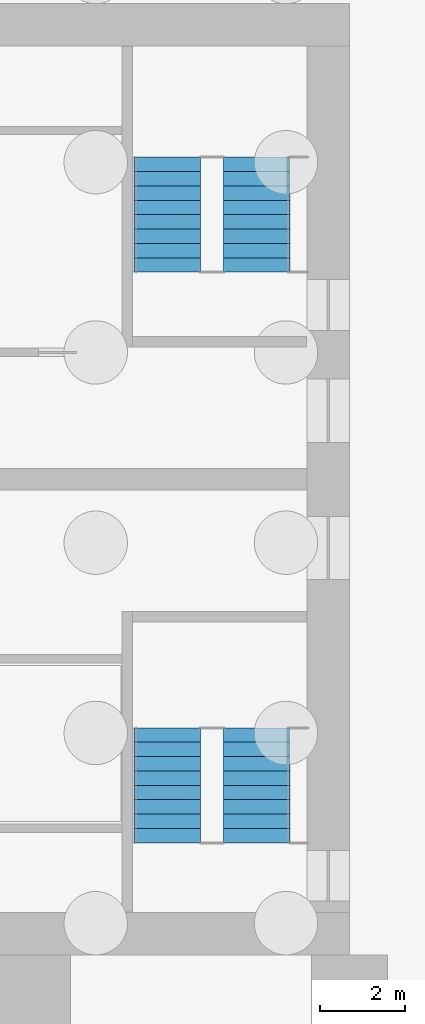
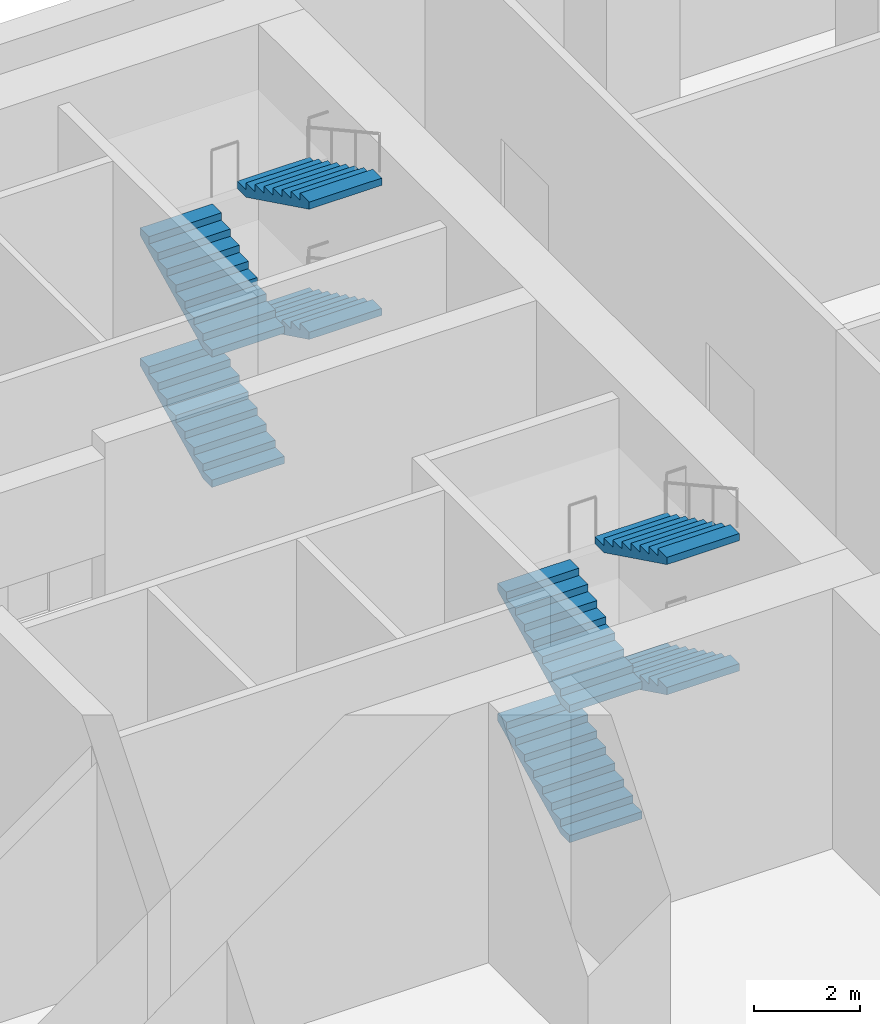
# One storey, part 7 of 9: 8 stair flights, 2 elements without a shape of their own.
"""IFC4 building model written with IfcOpenShell, lengths in metres."""

from ifc_helpers import new_model, si_unit, direction, frame, origin, place, context, subcontext, project, spatial, polyline, outline, extrude, material, type_object, element, aggregate, save


model = new_model("IFC4")

# Units and contexts
model_context = context("Model", 3, precision=1e-05, world=origin(), true_north=direction((0.0, 1.0)))
body_context = subcontext(model_context, "Body", "Model", "MODEL_VIEW")
ifc_project = project(units=[si_unit("LENGTHUNIT", "METRE"), si_unit("AREAUNIT", "SQUARE_METRE"), si_unit("VOLUMEUNIT", "CUBIC_METRE"), si_unit("PLANEANGLEUNIT", "RADIAN"), si_unit("MASSUNIT", "GRAM", prefix="KILO")], contexts=[model_context])

# Site, building, storey
site_placement = place(None, origin())
site = spatial("IfcSite", under=ifc_project, at=site_placement, CompositionType="ELEMENT")
building_placement = place(site_placement, origin())
building = spatial("IfcBuilding", under=site, at=building_placement, Name="Pilkhan Gate Tower", CompositionType="ELEMENT")
storey_placement = place(building_placement, frame((0.0, 0.0, -6.0)))
storey = spatial("IfcBuildingStorey", under=building, at=storey_placement, Name="B1", CompositionType="ELEMENT", Elevation=-6.0)

# Stair, stair flights
ifc_material = material(Name="Concrete C40/50 precast", Category="concrete")
stair_type_1 = type_object("IfcStairType", Name="Stair ST1 167x340", PredefinedType="HALF_TURN_STAIR", material=ifc_material)
stair_1_placement = place(storey_placement, origin())
stair_1 = element("IfcStair", 1, at=stair_1_placement, inside=storey, type_object=stair_type_1, Name="Stair ST1 B1", PredefinedType="HALF_TURN_STAIR")
stair_flight_type_1 = type_object("IfcStairFlightType", Name="Stair flight ST1 167x340x9", PredefinedType="STRAIGHT", material=ifc_material)
stair_flight_1_placement = place(storey_placement, frame((85.68994140625, 73.89990234375, 0.0), z_axis=(0.0, 0.0, 1.0), x_axis=(0.0, 1.0, 0.0)))
stair_flight_1 = element("IfcStairFlight", 2, at=stair_flight_1_placement, type_object=stair_flight_type_1, Name="ST1 flight 1", NumberOfRisers=9, NumberOfTreads=8, PredefinedType="STRAIGHT", RiserHeight=0.166666667, TreadLength=0.34, context=body_context, shape_type="SweptSolid", body=[
    extrude(outline(polyline([(0.0, 0.0), (0.0, 0.166748046875), (0.340087890625, 0.166748046875), (0.340087890625, 0.333251953125), (0.679931640625, 0.333251953125), (0.679931640625, 0.5), (1.02001953125, 0.5), (1.02001953125, 0.666748046875), (1.360107421875, 0.666748046875), (1.360107421875, 0.833251953125), (1.699951171875, 0.833251953125), (1.699951171875, 1.0), (2.0400390625, 1.0), (2.0400390625, 1.166748046875), (2.3798828125, 1.166748046875), (2.3798828125, 1.333251953125), (2.719970703125, 1.333251953125), (2.719970703125, 1.5), (2.719970703125, 1.16650390625), (0.340576171875, 0.0), (0.0, 0.0)])), frame((0.0, 0.7900390625, 0.0), z_axis=(0.0, -1.0, 0.0), x_axis=(1.0, 0.0, 0.0)), (0.0, 0.0, 1.0), 1.580078125),
])
stair_flight_2_placement = place(storey_placement, frame((87.81005859375, 76.6201171875, 1.5), z_axis=(0.0, 0.0, 1.0), x_axis=(0.0, -1.0, 0.0)))
stair_flight_2 = element("IfcStairFlight", 3, at=stair_flight_2_placement, type_object=stair_flight_type_1, Name="ST1 flight 2", NumberOfRisers=9, NumberOfTreads=8, PredefinedType="STRAIGHT", RiserHeight=0.166666667, TreadLength=0.34, context=body_context, shape_type="SweptSolid", body=[
    extrude(outline(polyline([(0.0, 0.0), (0.0, 0.166748046875), (0.340087890625, 0.166748046875), (0.340087890625, 0.333251953125), (0.679931640625, 0.333251953125), (0.679931640625, 0.5), (1.02001953125, 0.5), (1.02001953125, 0.666748046875), (1.360107421875, 0.666748046875), (1.360107421875, 0.833251953125), (1.699951171875, 0.833251953125), (1.699951171875, 1.0), (2.0400390625, 1.0), (2.0400390625, 1.166748046875), (2.3798828125, 1.166748046875), (2.3798828125, 1.333251953125), (2.719970703125, 1.333251953125), (2.719970703125, 1.5), (2.719970703125, 1.16650390625), (0.340576171875, 0.0), (0.0, 0.0)])), frame((0.0, 0.7900390625, 0.0), z_axis=(0.0, -1.0, 0.0), x_axis=(1.0, 0.0, 0.0)), (0.0, 0.0, 1.0), 1.580078125),
])
stair_flight_3_placement = place(storey_placement, frame((85.68994140625, 73.89990234375, 3.0), z_axis=(0.0, 0.0, 1.0), x_axis=(0.0, 1.0, 0.0)))
stair_flight_3 = element("IfcStairFlight", 4, at=stair_flight_3_placement, type_object=stair_flight_type_1, Name="ST1 flight 3", NumberOfRisers=9, NumberOfTreads=8, PredefinedType="STRAIGHT", RiserHeight=0.166666667, TreadLength=0.34, context=body_context, shape_type="SweptSolid", body=[
    extrude(outline(polyline([(0.0, 0.0), (0.0, 0.166748046875), (0.340087890625, 0.166748046875), (0.340087890625, 0.333251953125), (0.679931640625, 0.333251953125), (0.679931640625, 0.5), (1.02001953125, 0.5), (1.02001953125, 0.666748046875), (1.360107421875, 0.666748046875), (1.360107421875, 0.833251953125), (1.699951171875, 0.833251953125), (1.699951171875, 1.0), (2.0400390625, 1.0), (2.0400390625, 1.166748046875), (2.3798828125, 1.166748046875), (2.3798828125, 1.333251953125), (2.719970703125, 1.333251953125), (2.719970703125, 1.5), (2.719970703125, 1.16650390625), (0.340576171875, 0.0), (0.0, 0.0)])), frame((0.0, 0.7900390625, 0.0), z_axis=(0.0, -1.0, 0.0), x_axis=(1.0, 0.0, 0.0)), (0.0, 0.0, 1.0), 1.580078125),
])
stair_flight_4_placement = place(storey_placement, frame((87.81005859375, 76.6201171875, 4.5), z_axis=(0.0, 0.0, 1.0), x_axis=(0.0, -1.0, 0.0)))
stair_flight_4 = element("IfcStairFlight", 5, at=stair_flight_4_placement, type_object=stair_flight_type_1, Name="ST1 flight 4", NumberOfRisers=9, NumberOfTreads=8, PredefinedType="STRAIGHT", RiserHeight=0.166666667, TreadLength=0.34, context=body_context, shape_type="SweptSolid", body=[
    extrude(outline(polyline([(0.0, 0.0), (0.0, 0.166748046875), (0.340087890625, 0.166748046875), (0.340087890625, 0.333251953125), (0.679931640625, 0.333251953125), (0.679931640625, 0.5), (1.02001953125, 0.5), (1.02001953125, 0.666748046875), (1.360107421875, 0.666748046875), (1.360107421875, 0.833251953125), (1.699951171875, 0.833251953125), (1.699951171875, 1.0), (2.0400390625, 1.0), (2.0400390625, 1.166748046875), (2.3798828125, 1.166748046875), (2.3798828125, 1.333251953125), (2.719970703125, 1.333251953125), (2.719970703125, 1.5), (2.719970703125, 1.16650390625), (0.340576171875, 0.0), (0.0, 0.0)])), frame((0.0, 0.7900390625, 0.0), z_axis=(0.0, -1.0, 0.0), x_axis=(1.0, 0.0, 0.0)), (0.0, 0.0, 1.0), 1.580078125),
])
aggregate(stair_1, [stair_flight_1, stair_flight_2, stair_flight_3, stair_flight_4])

stair_type_2 = type_object("IfcStairType", Name="Stair ST4 167x340", PredefinedType="HALF_TURN_STAIR", material=ifc_material)
stair_2_placement = place(storey_placement, origin())
stair_2 = element("IfcStair", 6, at=stair_2_placement, inside=storey, type_object=stair_type_2, Name="Stair ST4 B1", PredefinedType="HALF_TURN_STAIR")
stair_flight_type_2 = type_object("IfcStairFlightType", Name="Stair flight ST4 167x340x9", PredefinedType="STRAIGHT", material=ifc_material)
stair_flight_5_placement = place(storey_placement, frame((85.68994140625, 87.39990234375, 0.0), z_axis=(0.0, 0.0, 1.0), x_axis=(0.0, 1.0, 0.0)))
stair_flight_5 = element("IfcStairFlight", 7, at=stair_flight_5_placement, type_object=stair_flight_type_2, Name="ST4 flight 1", NumberOfRisers=9, NumberOfTreads=8, PredefinedType="STRAIGHT", RiserHeight=0.166666667, TreadLength=0.34, context=body_context, shape_type="SweptSolid", body=[
    extrude(outline(polyline([(0.0, 0.0), (0.0, 0.166748046875), (0.340087890625, 0.166748046875), (0.340087890625, 0.333251953125), (0.679931640625, 0.333251953125), (0.679931640625, 0.5), (1.02001953125, 0.5), (1.02001953125, 0.666748046875), (1.360107421875, 0.666748046875), (1.360107421875, 0.833251953125), (1.699951171875, 0.833251953125), (1.699951171875, 1.0), (2.0400390625, 1.0), (2.0400390625, 1.166748046875), (2.3798828125, 1.166748046875), (2.3798828125, 1.333251953125), (2.719970703125, 1.333251953125), (2.719970703125, 1.5), (2.719970703125, 1.16650390625), (0.340576171875, 0.0), (0.0, 0.0)])), frame((0.0, 0.7900390625, 0.0), z_axis=(0.0, -1.0, 0.0), x_axis=(1.0, 0.0, 0.0)), (0.0, 0.0, 1.0), 1.580078125),
])
stair_flight_6_placement = place(storey_placement, frame((87.81005859375, 90.1201171875, 1.5), z_axis=(0.0, 0.0, 1.0), x_axis=(0.0, -1.0, 0.0)))
stair_flight_6 = element("IfcStairFlight", 8, at=stair_flight_6_placement, type_object=stair_flight_type_2, Name="ST4 flight 2", NumberOfRisers=9, NumberOfTreads=8, PredefinedType="STRAIGHT", RiserHeight=0.166666667, TreadLength=0.34, context=body_context, shape_type="SweptSolid", body=[
    extrude(outline(polyline([(0.0, 0.0), (0.0, 0.166748046875), (0.340087890625, 0.166748046875), (0.340087890625, 0.333251953125), (0.679931640625, 0.333251953125), (0.679931640625, 0.5), (1.02001953125, 0.5), (1.02001953125, 0.666748046875), (1.360107421875, 0.666748046875), (1.360107421875, 0.833251953125), (1.699951171875, 0.833251953125), (1.699951171875, 1.0), (2.0400390625, 1.0), (2.0400390625, 1.166748046875), (2.3798828125, 1.166748046875), (2.3798828125, 1.333251953125), (2.719970703125, 1.333251953125), (2.719970703125, 1.5), (2.719970703125, 1.16650390625), (0.340576171875, 0.0), (0.0, 0.0)])), frame((0.0, 0.7900390625, 0.0), z_axis=(0.0, -1.0, 0.0), x_axis=(1.0, 0.0, 0.0)), (0.0, 0.0, 1.0), 1.580078125),
])
stair_flight_7_placement = place(storey_placement, frame((85.68994140625, 87.39990234375, 3.0), z_axis=(0.0, 0.0, 1.0), x_axis=(0.0, 1.0, 0.0)))
stair_flight_7 = element("IfcStairFlight", 9, at=stair_flight_7_placement, type_object=stair_flight_type_2, Name="ST4 flight 3", NumberOfRisers=9, NumberOfTreads=8, PredefinedType="STRAIGHT", RiserHeight=0.166666667, TreadLength=0.34, context=body_context, shape_type="SweptSolid", body=[
    extrude(outline(polyline([(0.0, 0.0), (0.0, 0.166748046875), (0.340087890625, 0.166748046875), (0.340087890625, 0.333251953125), (0.679931640625, 0.333251953125), (0.679931640625, 0.5), (1.02001953125, 0.5), (1.02001953125, 0.666748046875), (1.360107421875, 0.666748046875), (1.360107421875, 0.833251953125), (1.699951171875, 0.833251953125), (1.699951171875, 1.0), (2.0400390625, 1.0), (2.0400390625, 1.166748046875), (2.3798828125, 1.166748046875), (2.3798828125, 1.333251953125), (2.719970703125, 1.333251953125), (2.719970703125, 1.5), (2.719970703125, 1.16650390625), (0.340576171875, 0.0), (0.0, 0.0)])), frame((0.0, 0.7900390625, 0.0), z_axis=(0.0, -1.0, 0.0), x_axis=(1.0, 0.0, 0.0)), (0.0, 0.0, 1.0), 1.580078125),
])
stair_flight_8_placement = place(storey_placement, frame((87.81005859375, 90.1201171875, 4.5), z_axis=(0.0, 0.0, 1.0), x_axis=(0.0, -1.0, 0.0)))
stair_flight_8 = element("IfcStairFlight", 10, at=stair_flight_8_placement, type_object=stair_flight_type_2, Name="ST4 flight 4", NumberOfRisers=9, NumberOfTreads=8, PredefinedType="STRAIGHT", RiserHeight=0.166666667, TreadLength=0.34, context=body_context, shape_type="SweptSolid", body=[
    extrude(outline(polyline([(0.0, 0.0), (0.0, 0.166748046875), (0.340087890625, 0.166748046875), (0.340087890625, 0.333251953125), (0.679931640625, 0.333251953125), (0.679931640625, 0.5), (1.02001953125, 0.5), (1.02001953125, 0.666748046875), (1.360107421875, 0.666748046875), (1.360107421875, 0.833251953125), (1.699951171875, 0.833251953125), (1.699951171875, 1.0), (2.0400390625, 1.0), (2.0400390625, 1.166748046875), (2.3798828125, 1.166748046875), (2.3798828125, 1.333251953125), (2.719970703125, 1.333251953125), (2.719970703125, 1.5), (2.719970703125, 1.16650390625), (0.340576171875, 0.0), (0.0, 0.0)])), frame((0.0, 0.7900390625, 0.0), z_axis=(0.0, -1.0, 0.0), x_axis=(1.0, 0.0, 0.0)), (0.0, 0.0, 1.0), 1.580078125),
])
aggregate(stair_2, [stair_flight_5, stair_flight_6, stair_flight_7, stair_flight_8])

save(model, "model.ifc")
